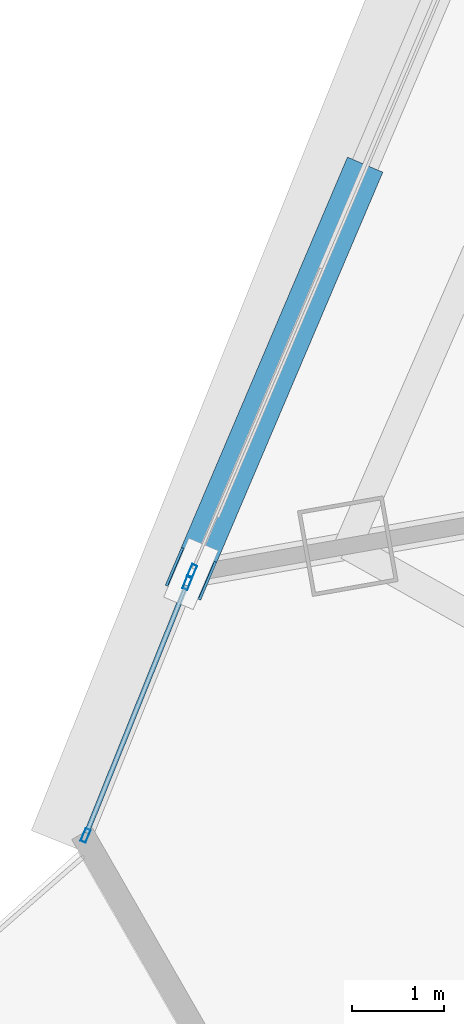
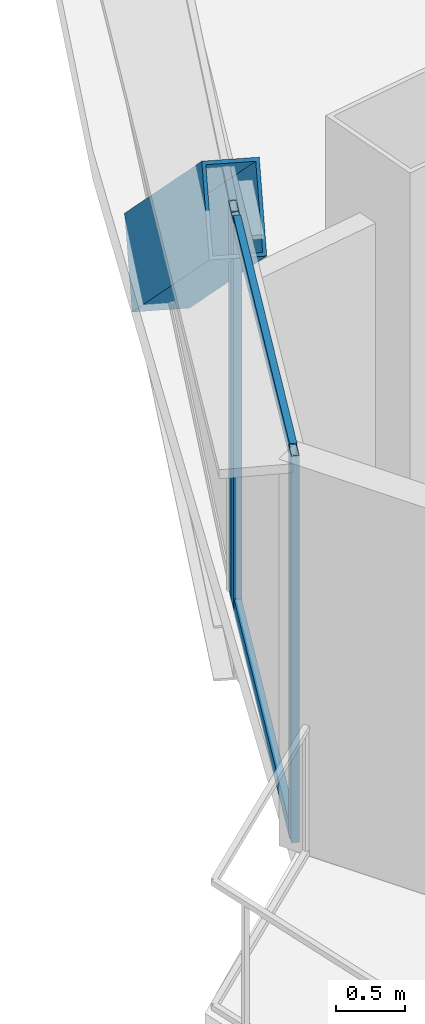
# One storey, part 4 of 39: 6 members, 2 elements without a shape of their own.
"""IFC4 building model written with IfcOpenShell, lengths in metres."""

from ifc_helpers import new_model, si_unit, direction, frame, origin, origin_2d, place, context, subcontext, project, spatial, hollow_rectangle, extrude, source, transform, mapped, material, layer, layer_set, material_profile, profile_set, type_object, element, aggregate, save


model = new_model("IFC4")

# Units and contexts
model_context = context("Model", 3, precision=1e-05, world=origin(), true_north=direction((0.0, 1.0)))
body_context = subcontext(model_context, "Body", "Model", "MODEL_VIEW")
ifc_project = project(units=[si_unit("LENGTHUNIT", "METRE"), si_unit("AREAUNIT", "SQUARE_METRE"), si_unit("VOLUMEUNIT", "CUBIC_METRE"), si_unit("PLANEANGLEUNIT", "RADIAN"), si_unit("MASSUNIT", "GRAM", prefix="KILO"), si_unit("THERMODYNAMICTEMPERATUREUNIT", "KELVIN"), si_unit("POWERUNIT", "WATT")], contexts=[model_context])

# Site, building, storey
site_placement = place(None, origin())
site = spatial("IfcSite", under=ifc_project, at=site_placement, CompositionType="ELEMENT")
building_placement = place(site_placement, origin())
building = spatial("IfcBuilding", under=site, at=building_placement, Name="Yunzhuo Pagoda Commons", CompositionType="ELEMENT")
storey_placement = place(building_placement, frame((0.0, 0.0, 140.8701171875)))
storey = spatial("IfcBuildingStorey", under=building, at=storey_placement, Name="L35", CompositionType="ELEMENT", Elevation=140.8701171875)

# Member
ifc_material_1 = material(Name="Structural steel Q420B", Category="steel")
ifc_material_profile_1 = material_profile(ifc_material_1, hollow_rectangle(XDim=0.419921875, YDim=0.719970703125, WallThickness=0.028076171875, at=origin_2d()), Name="Structural steel Q420B")
ifc_profile_set_1 = profile_set([ifc_material_profile_1], Name="Structural steel Q420B")
member_type_1 = type_object("IfcMemberType", Name="M-DL1 Brace BOX 720x420x28", PredefinedType="BRACE", material=ifc_profile_set_1)
shared_shape_1 = source(origin(), body_context, "Body", "SweptSolid", [
    extrude(hollow_rectangle(XDim=0.419921875, YDim=0.719970703125, WallThickness=0.028076171875, at=origin_2d()), origin(), (0.0, 0.0, 1.0), 5.915283203125),
])
member_1_placement = place(storey_placement, frame((11.105224609375, 31.1357421875, -0.260009765625), z_axis=(-0.306695249889, -0.720368576444, 0.622098977469), x_axis=(0.920083094717, -0.391723242629, 0.0)))
element("IfcMember", 1, at=member_1_placement, inside=storey, type_object=member_type_1, Name="L35 facade diamond brace F3.3R", PredefinedType="BRACE", context=body_context, shape_type="MappedRepresentation", body=[
    mapped(shared_shape_1, transform((0.0, 0.0, 0.0), scale=1.0)),
])

# Curtain wall, member
ifc_material_2 = material(Name="Anodized aluminium 6063-T6", Category="aluminium")
ifc_layer = layer(ifc_material_2, 0.14990234375)
ifc_layer_set = layer_set([ifc_layer], Name="Anodized aluminium 6063-T6")
curtain_wall_type = type_object("IfcCurtainWallType", Name="CW-MID Mid-Zone Ribbon Curtain Wall", PredefinedType="NOTDEFINED", material=ifc_layer_set)
curtain_wall_1_placement = place(storey_placement, origin())
curtain_wall_1 = element("IfcCurtainWall", 2, at=curtain_wall_1_placement, inside=storey, type_object=curtain_wall_type, Name="L35 curtain wall CW-L35-F3B4", PredefinedType="NOTDEFINED")
ifc_material_profile_2 = material_profile(ifc_material_2, hollow_rectangle(XDim=0.06005859375, YDim=0.14990234375, WallThickness=0.00390625, at=origin_2d()), Name="Anodized aluminium 6063-T6")
ifc_profile_set_2 = profile_set([ifc_material_profile_2], Name="Anodized aluminium 6063-T6")
member_type_2 = type_object("IfcMemberType", Name="CW-MID-M Mullion RHS 150x60x4", PredefinedType="MULLION", material=ifc_profile_set_2)
shared_shape_2 = source(origin(), body_context, "Body", "SweptSolid", [
    extrude(hollow_rectangle(XDim=0.06005859375, YDim=0.14990234375, WallThickness=0.00390625, at=origin_2d()), origin(), (0.0, 0.0, 1.0), 3.419921875),
])
member_2_placement = place(storey_placement, frame((9.302734375, 26.902099609375, 0.0), z_axis=(0.0, 0.0, 1.0), x_axis=(0.920072228059, -0.391748765351, 0.0)))
member_2 = element("IfcMember", 3, at=member_2_placement, type_object=member_type_2, Name="CW mullion 2", PredefinedType="MULLION", context=body_context, shape_type="MappedRepresentation", body=[
    mapped(shared_shape_2, transform((0.0, 0.0, 0.0), scale=1.0)),
])
aggregate(curtain_wall_1, [member_2])

# Curtain wall, members
curtain_wall_2_placement = place(storey_placement, origin())
curtain_wall_2 = element("IfcCurtainWall", 4, at=curtain_wall_2_placement, inside=storey, type_object=curtain_wall_type, Name="L35 curtain wall CW-L35-F3B5", PredefinedType="NOTDEFINED")
member_3_placement = place(storey_placement, frame((9.251708984375, 26.777099609375, 0.0), z_axis=(0.0, 0.0, 1.0), x_axis=(0.927583162846, -0.373616750166, 0.0)))
member_3 = element("IfcMember", 5, at=member_3_placement, type_object=member_type_2, Name="CW mullion 1", PredefinedType="MULLION", context=body_context, shape_type="MappedRepresentation", body=[
    mapped(shared_shape_2, transform((0.0, 0.0, 0.0), scale=1.0)),
])
member_4_placement = place(storey_placement, frame((8.140380859375, 24.017822265625, 0.0), z_axis=(0.0, 0.0, 1.0), x_axis=(0.927583162846, -0.373616750166, 0.0)))
member_4 = element("IfcMember", 6, at=member_4_placement, type_object=member_type_2, Name="CW mullion 2", PredefinedType="MULLION", context=body_context, shape_type="MappedRepresentation", body=[
    mapped(shared_shape_2, transform((0.0, 0.0, 0.0), scale=1.0)),
])
ifc_material_profile_3 = material_profile(ifc_material_2, hollow_rectangle(XDim=0.054931640625, YDim=0.1298828125, WallThickness=0.00341796875, at=origin_2d()), Name="Anodized aluminium 6063-T6")
ifc_profile_set_3 = profile_set([ifc_material_profile_3], Name="Anodized aluminium 6063-T6")
member_type_3 = type_object("IfcMemberType", Name="CW-MID-T Transom RHS 130x55x3.5", PredefinedType="USERDEFINED", material=ifc_profile_set_3)
shared_shape_3 = source(origin(), body_context, "Body", "SweptSolid", [
    extrude(hollow_rectangle(XDim=0.054931640625, YDim=0.1298828125, WallThickness=0.00341796875, at=origin_2d()), origin(), (0.0, 0.0, 1.0), 2.914794921875),
])
member_5_placement = place(storey_placement, frame((9.24072265625, 26.749267578125, 0.02734375), z_axis=(-0.373656886958, -0.927566995332, 0.0), x_axis=(0.927566995332, -0.373656886958, 0.0)))
member_5 = element("IfcMember", 7, at=member_5_placement, type_object=member_type_3, Name="CW transom 1.1", ObjectType="TRANSOM", PredefinedType="USERDEFINED", context=body_context, shape_type="MappedRepresentation", body=[
    mapped(shared_shape_3, transform((0.0, 0.0, 0.0), scale=1.0)),
])
member_6_placement = place(storey_placement, frame((9.24072265625, 26.749267578125, 3.392333984375), z_axis=(-0.373656886958, -0.927566995332, 0.0), x_axis=(0.927566995332, -0.373656886958, 0.0)))
member_6 = element("IfcMember", 8, at=member_6_placement, type_object=member_type_3, Name="CW transom 1.2", ObjectType="TRANSOM", PredefinedType="USERDEFINED", context=body_context, shape_type="MappedRepresentation", body=[
    mapped(shared_shape_3, transform((0.0, 0.0, 0.0), scale=1.0)),
])
aggregate(curtain_wall_2, [member_3, member_4, member_5, member_6])

save(model, "model.ifc")
